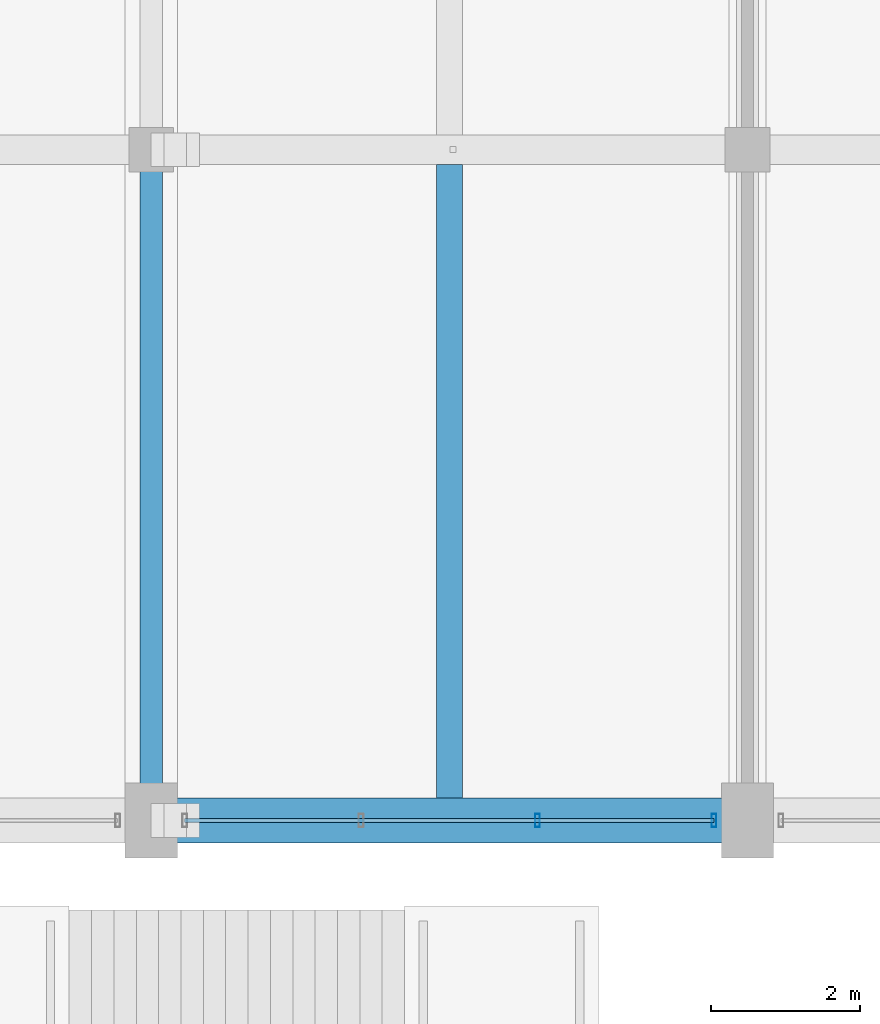
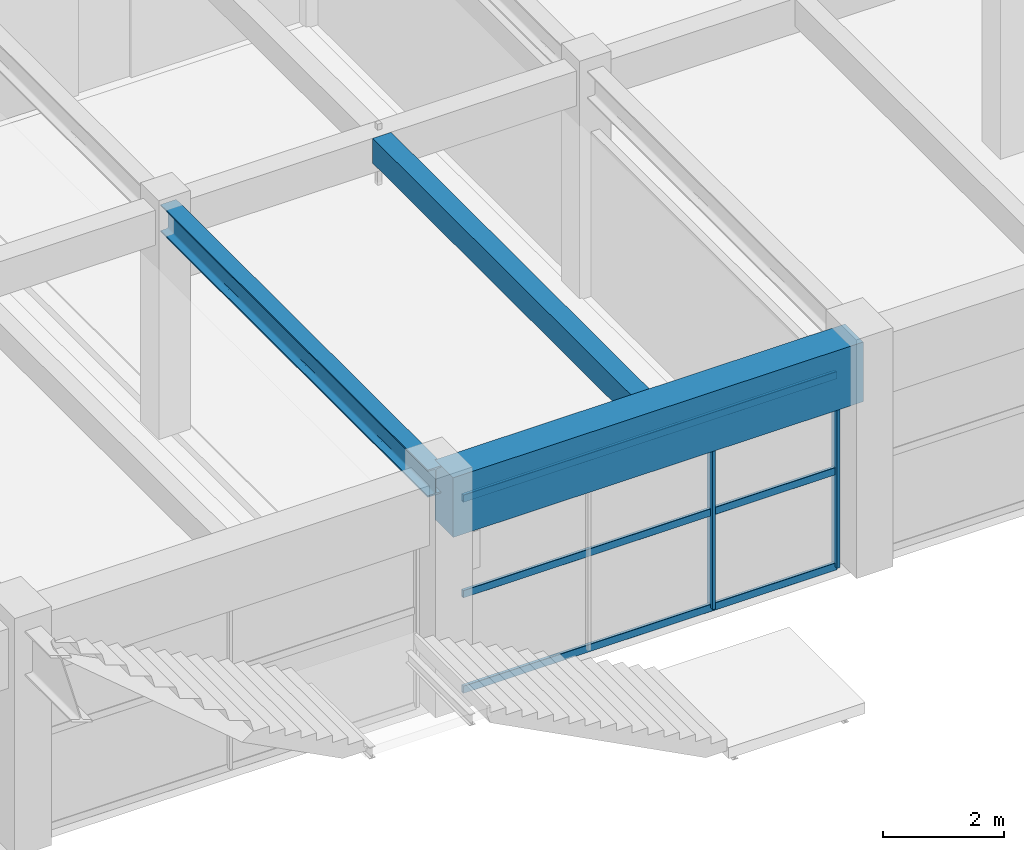
# One storey, part 65 of 144: 5 members, 3 beams, 1 element without a shape of its own.
"""IFC4 building model written with IfcOpenShell, lengths in metres."""

from ifc_helpers import new_model, si_unit, direction, frame, origin, origin_2d, place, context, subcontext, project, spatial, rectangle, hollow_rectangle, i_section, extrude, material, material_profile, profile_set, type_object, element, aggregate, save


model = new_model("IFC4")

# Units and contexts
model_context = context("Model", 3, precision=1e-05, world=origin(), true_north=direction((0.0, 1.0)))
body_context = subcontext(model_context, "Body", "Model", "MODEL_VIEW")
ifc_project = project(units=[si_unit("LENGTHUNIT", "METRE"), si_unit("AREAUNIT", "SQUARE_METRE"), si_unit("VOLUMEUNIT", "CUBIC_METRE"), si_unit("PLANEANGLEUNIT", "RADIAN"), si_unit("MASSUNIT", "GRAM", prefix="KILO")], contexts=[model_context])

# Site, building, storey
site_placement = place(None, origin())
site = spatial("IfcSite", under=ifc_project, at=site_placement, CompositionType="ELEMENT")
building_placement = place(site_placement, origin())
building = spatial("IfcBuilding", under=site, at=building_placement, Name="Varnabhumi Central Station", CompositionType="ELEMENT")
storey_placement = place(building_placement, frame((0.0, 0.0, 4.800048828125)))
storey = spatial("IfcBuildingStorey", under=building, at=storey_placement, Name="L01", CompositionType="ELEMENT", Elevation=4.800048828125)

# Beams
ifc_material_1 = material(Name="Concrete M50", Category="concrete")
ifc_material_profile_1 = material_profile(ifc_material_1, rectangle(XDim=0.60009765625, YDim=1.199951171875, at=origin_2d()), Name="Concrete M50", Category="concrete")
ifc_profile_set_1 = profile_set([ifc_material_profile_1], Name="Concrete M50")
beam_type_1 = type_object("IfcBeamType", Name="BM-RC-1200x600", PredefinedType="BEAM", material=ifc_profile_set_1)
beam_1_placement = place(storey_placement, frame((120.10009765625, 80.0, 3.949951171875), z_axis=(1.0, 0.0, 0.0), x_axis=(0.0, 1.0, 0.0)))
element("IfcBeam", 1, at=beam_1_placement, inside=storey, type_object=beam_type_1, Name="Beam L01-K:16-17", PredefinedType="BEAM", context=body_context, shape_type="SweptSolid", body=[
    extrude(rectangle(XDim=0.60009765625, YDim=1.199951171875, at=origin_2d()), origin(), (0.0, 0.0, 1.0), 7.7998046875),
])
ifc_material_2 = material(Name="Concrete M40", Category="concrete")
ifc_material_profile_2 = material_profile(ifc_material_2, rectangle(XDim=0.35009765625, YDim=0.5, at=origin_2d()), Name="Concrete M40", Category="concrete")
ifc_profile_set_2 = profile_set([ifc_material_profile_2], Name="Concrete M40")
beam_type_2 = type_object("IfcBeamType", Name="BM-RC-350x500", PredefinedType="JOIST", material=ifc_profile_set_2)
beam_2_placement = place(storey_placement, frame((124.0, 80.300048828125, 4.300048828125), z_axis=(0.0, 1.0, 0.0), x_axis=(-1.0, 0.0, 0.0)))
element("IfcBeam", 2, at=beam_2_placement, inside=storey, type_object=beam_type_2, Name="Secondary Joist L01-16/17:K-L", PredefinedType="JOIST", context=body_context, shape_type="SweptSolid", body=[
    extrude(rectangle(XDim=0.35009765625, YDim=0.5, at=origin_2d()), origin(), (0.0, 0.0, 1.0), 8.5),
])
ifc_material_3 = material(Name="Structural steel E350", Category="steel")
ifc_material_profile_3 = material_profile(ifc_material_3, i_section(OverallWidth=0.300048828125, OverallDepth=0.550048828125, WebThickness=0.014892578125, FlangeThickness=0.029052734375, FilletRadius=0.027099609375, at=origin_2d()), Name="Structural steel E350", Category="steel")
ifc_profile_set_3 = profile_set([ifc_material_profile_3], Name="Structural steel E350")
beam_type_3 = type_object("IfcBeamType", Name="BM-STL-WPB550", PredefinedType="BEAM", material=ifc_profile_set_3)
beam_3_placement = place(storey_placement, frame((120.0, 80.10009765625, 4.27490234375), z_axis=(0.0, 1.0, 0.0), x_axis=(-1.0, 0.0, 0.0)))
element("IfcBeam", 3, at=beam_3_placement, inside=storey, type_object=beam_type_3, Name="Beam L01-16:K-L", PredefinedType="BEAM", context=body_context, shape_type="SweptSolid", body=[
    extrude(i_section(OverallWidth=0.300048828125, OverallDepth=0.550048828125, WebThickness=0.014892578125, FlangeThickness=0.029052734375, FilletRadius=0.027099609375, at=origin_2d()), origin(), (0.0, 0.0, 1.0), 8.7998046875),
])

# Curtain wall, members
ifc_material_4 = material(Name="Anodised aluminium 6063-T6", Category="aluminium")
curtain_wall_type = type_object("IfcCurtainWallType", Name="CW-STREET-PORTAL", PredefinedType="NOTDEFINED", material=ifc_material_4)
curtain_wall_placement = place(storey_placement, origin())
curtain_wall = element("IfcCurtainWall", 4, at=curtain_wall_placement, inside=storey, type_object=curtain_wall_type, Name="Curtain Wall CW-NSP115", PredefinedType="NOTDEFINED")
ifc_material_profile_4 = material_profile(ifc_material_4, hollow_rectangle(XDim=0.06494140625, YDim=0.179931640625, WallThickness=0.00390625, InnerFilletRadius=0.001953125, OuterFilletRadius=0.006103515625, at=origin_2d()), Name="Anodised aluminium 6063-T6", Category="aluminium")
ifc_profile_set_4 = profile_set([ifc_material_profile_4], Name="Anodised aluminium 6063-T6")
member_type_1 = type_object("IfcMemberType", Name="CW-MUL-180", PredefinedType="MULLION", material=ifc_profile_set_4)
member_1_placement = place(storey_placement, frame((125.183349609375, 80.0, 0.0), z_axis=(0.0, 0.0, 1.0), x_axis=(1.0, 0.0, 0.0)))
member_1 = element("IfcMember", 5, at=member_1_placement, type_object=member_type_1, Name="Curtain Wall Mullion CW-NSP115-M3", PredefinedType="MULLION", context=body_context, shape_type="SweptSolid", body=[
    extrude(hollow_rectangle(XDim=0.06494140625, YDim=0.179931640625, WallThickness=0.00390625, InnerFilletRadius=0.001953125, OuterFilletRadius=0.006103515625, at=origin_2d()), origin(), (0.0, 0.0, 1.0), 3.83984375),
])
member_2_placement = place(storey_placement, frame((127.550048828125, 80.0, 0.0), z_axis=(0.0, 0.0, 1.0), x_axis=(1.0, 0.0, 0.0)))
member_2 = element("IfcMember", 6, at=member_2_placement, type_object=member_type_1, Name="Curtain Wall Mullion CW-NSP115-M4", PredefinedType="MULLION", context=body_context, shape_type="SweptSolid", body=[
    extrude(hollow_rectangle(XDim=0.06494140625, YDim=0.179931640625, WallThickness=0.00390625, InnerFilletRadius=0.001953125, OuterFilletRadius=0.006103515625, at=origin_2d()), origin(), (0.0, 0.0, 1.0), 3.83984375),
])
ifc_material_profile_5 = material_profile(ifc_material_4, hollow_rectangle(XDim=0.06005859375, YDim=0.14990234375, WallThickness=0.00390625, InnerFilletRadius=0.001953125, OuterFilletRadius=0.006103515625, at=origin_2d()), Name="Anodised aluminium 6063-T6", Category="aluminium")
ifc_profile_set_5 = profile_set([ifc_material_profile_5], Name="Anodised aluminium 6063-T6")
member_type_2 = type_object("IfcMemberType", Name="CW-TR-150", PredefinedType="USERDEFINED", material=ifc_profile_set_5)
member_3_placement = place(storey_placement, frame((120.449951171875, 80.0, 0.0), z_axis=(1.0, 0.0, 0.0), x_axis=(0.0, 1.0, 0.0)))
member_3 = element("IfcMember", 7, at=member_3_placement, type_object=member_type_2, Name="Curtain Wall Transom CW-NSP115-T1", ObjectType="TRANSOM", PredefinedType="USERDEFINED", context=body_context, shape_type="SweptSolid", body=[
    extrude(hollow_rectangle(XDim=0.06005859375, YDim=0.14990234375, WallThickness=0.00390625, InnerFilletRadius=0.001953125, OuterFilletRadius=0.006103515625, at=origin_2d()), origin(), (0.0, 0.0, 1.0), 7.10009765625),
])
member_4_placement = place(storey_placement, frame((120.449951171875, 80.0, 1.919921875), z_axis=(1.0, 0.0, 0.0), x_axis=(0.0, 1.0, 0.0)))
member_4 = element("IfcMember", 8, at=member_4_placement, type_object=member_type_2, Name="Curtain Wall Transom CW-NSP115-T2", ObjectType="TRANSOM", PredefinedType="USERDEFINED", context=body_context, shape_type="SweptSolid", body=[
    extrude(hollow_rectangle(XDim=0.06005859375, YDim=0.14990234375, WallThickness=0.00390625, InnerFilletRadius=0.001953125, OuterFilletRadius=0.006103515625, at=origin_2d()), origin(), (0.0, 0.0, 1.0), 7.10009765625),
])
member_5_placement = place(storey_placement, frame((120.449951171875, 80.0, 3.83984375), z_axis=(1.0, 0.0, 0.0), x_axis=(0.0, 1.0, 0.0)))
member_5 = element("IfcMember", 9, at=member_5_placement, type_object=member_type_2, Name="Curtain Wall Transom CW-NSP115-T3", ObjectType="TRANSOM", PredefinedType="USERDEFINED", context=body_context, shape_type="SweptSolid", body=[
    extrude(hollow_rectangle(XDim=0.06005859375, YDim=0.14990234375, WallThickness=0.00390625, InnerFilletRadius=0.001953125, OuterFilletRadius=0.006103515625, at=origin_2d()), origin(), (0.0, 0.0, 1.0), 7.10009765625),
])
aggregate(curtain_wall, [member_1, member_2, member_3, member_4, member_5])

save(model, "model.ifc")
